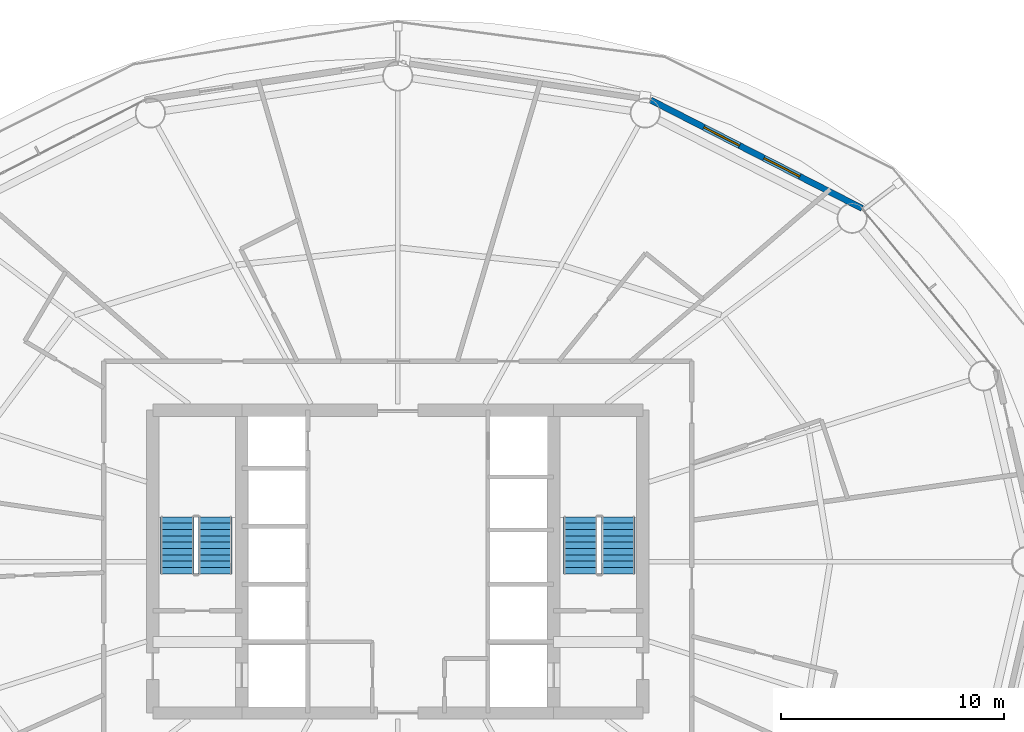
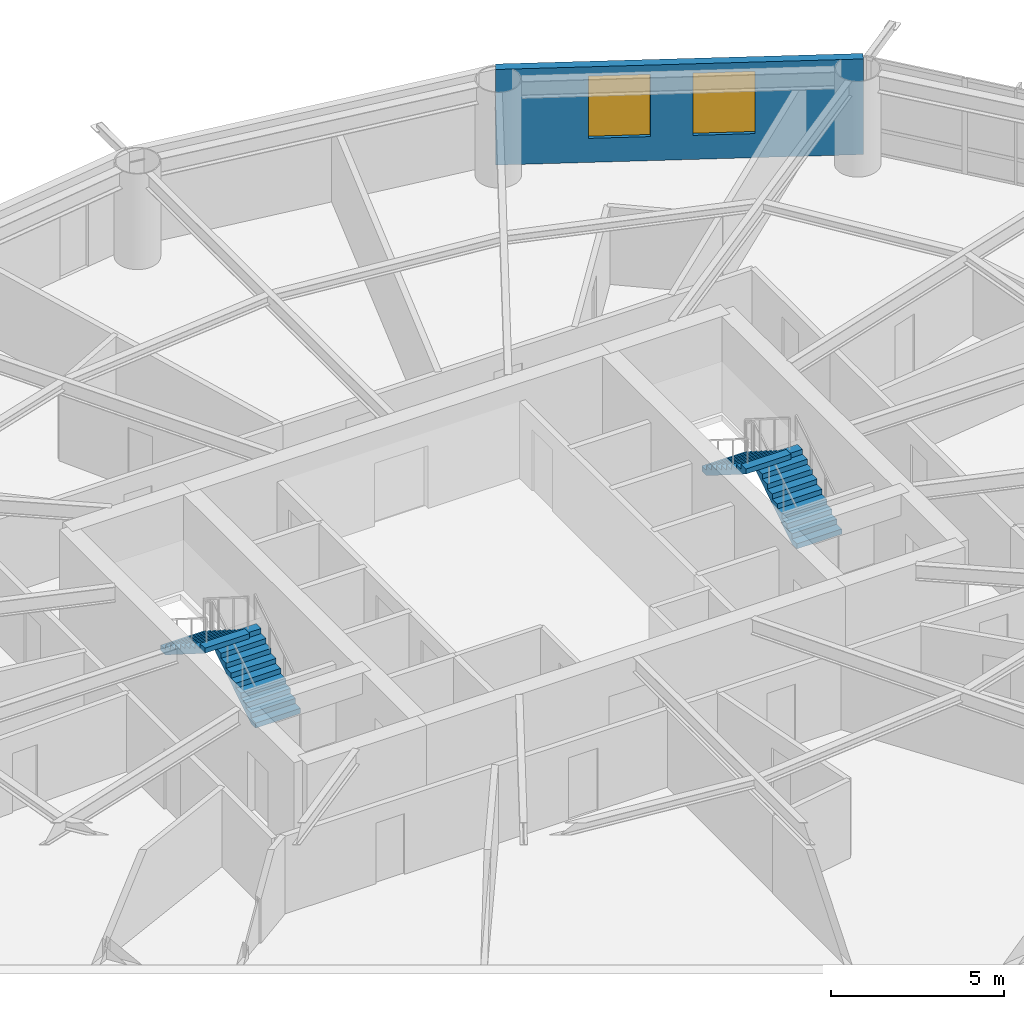
# One storey, part 21 of 24: 4 stair flights, 2 windows, 1 wall, 2 openings, 2 elements without a shape of their own.
"""IFC4 building model written with IfcOpenShell, lengths in metres."""

from ifc_helpers import new_model, si_unit, direction, frame, frame_2d, origin, place, context, subcontext, project, spatial, polyline, rectangle, outline, extrude, material, layer, layer_set, type_object, element, fill, aggregate, save


model = new_model("IFC4")

# Units and contexts
model_context = context("Model", 3, precision=1e-05, world=origin(), true_north=direction((0.0, 1.0)))
body_context = subcontext(model_context, "Body", "Model", "MODEL_VIEW")
ifc_project = project(units=[si_unit("LENGTHUNIT", "METRE"), si_unit("AREAUNIT", "SQUARE_METRE"), si_unit("VOLUMEUNIT", "CUBIC_METRE"), si_unit("PLANEANGLEUNIT", "RADIAN"), si_unit("MASSUNIT", "GRAM", prefix="KILO")], contexts=[model_context])

# Site, building, storey
site_placement = place(None, origin())
site = spatial("IfcSite", under=ifc_project, at=site_placement, CompositionType="ELEMENT")
building_placement = place(site_placement, origin())
building = spatial("IfcBuilding", under=site, at=building_placement, Name="Sarneth Arch Tower", CompositionType="ELEMENT")
storey_placement = place(building_placement, frame((0.0, 0.0, 120.0)))
storey = spatial("IfcBuildingStorey", under=building, at=storey_placement, Name="L30", CompositionType="ELEMENT", Elevation=120.0)

# Wall, openings, windows
ifc_material_1 = material(Name="Extruded terracotta rainscreen on Concrete C40/50 backing", Category="masonry")
ifc_layer = layer(ifc_material_1, 0.280029296875)
ifc_layer_set = layer_set([ifc_layer], Name="Extruded terracotta rainscreen on Concrete C40/50 backing")
wall_type = type_object("IfcWallType", Name="WALL-EXT-TERRA-280", PredefinedType="SOLIDWALL", material=ifc_layer_set)
wall_placement = place(storey_placement, frame((68.840087890625, 57.8603515625, 0.0), z_axis=(0.0, 0.0, 1.0), x_axis=(-0.889959505023, 0.45603955905, 0.0)))
wall = element("IfcWall", 1, at=wall_placement, inside=storey, type_object=wall_type, Name="L30 Terracotta perimeter wall 03", PredefinedType="SOLIDWALL", context=body_context, shape_type="SweptSolid", body=[
    extrude(rectangle(XDim=10.662109375, YDim=0.280029296875, at=frame_2d((5.3310546875, 0.0))), origin(), (0.0, 0.0, 1.0), 3.3798828125),
])
opening_1_placement = place(wall_placement, frame((3.142578125, 0.0, 0.85009765625)))
opening_1 = element("IfcOpeningElement", 2, at=opening_1_placement, cuts=wall, Name="Opening W-04", PredefinedType="OPENING", context=body_context, shape_type="SweptSolid", body=[
    extrude(rectangle(XDim=1.800048828125, YDim=2.199951171875, at=frame_2d((0.89990234375, 1.10009765625))), frame((0.0, 0.14990234375, 0.0), z_axis=(0.0, -1.0, 0.0), x_axis=(1.0, 0.0, 0.0)), (0.0, 0.0, 1.0), 0.300048828125),
])
opening_2_placement = place(wall_placement, frame((6.1767578125, 0.0, 0.85009765625)))
opening_2 = element("IfcOpeningElement", 3, at=opening_2_placement, cuts=wall, Name="Opening W-04", PredefinedType="OPENING", context=body_context, shape_type="SweptSolid", body=[
    extrude(rectangle(XDim=1.800048828125, YDim=2.199951171875, at=frame_2d((0.89990234375, 1.10009765625))), frame((0.0, 0.14990234375, 0.0), z_axis=(0.0, -1.0, 0.0), x_axis=(1.0, 0.0, 0.0)), (0.0, 0.0, 1.0), 0.300048828125),
])
ifc_material_2 = material(Name="Thermally broken Aluminium 6063-T6 and low-e laminated IGU", Category="aluminium")
window_type = type_object("IfcWindowType", Name="WIN-TWR-1800x2200", PartitioningType="DOUBLE_PANEL_VERTICAL", PredefinedType="WINDOW", material=ifc_material_2)
window_1_placement = place(opening_1_placement, origin())
window_1 = element("IfcWindow", 4, at=window_1_placement, inside=storey, type_object=window_type, Name="L30 Exterior window 03A", OverallHeight=2.199951171875, OverallWidth=1.800048828125, PartitioningType="SINGLE_PANEL", PredefinedType="WINDOW", context=body_context, shape_type="SweptSolid", body=[
    extrude(rectangle(XDim=1.800048828125, YDim=2.199951171875, at=frame_2d((0.89990234375, 1.10009765625))), frame((0.0, 0.030029296875, 0.0), z_axis=(0.0, -1.0, 0.0), x_axis=(1.0, 0.0, 0.0)), (0.0, 0.0, 1.0), 0.06005859375),
])
fill(opening_1, window_1)
window_2_placement = place(opening_2_placement, origin())
window_2 = element("IfcWindow", 5, at=window_2_placement, inside=storey, type_object=window_type, Name="L30 Exterior window 03B", OverallHeight=2.199951171875, OverallWidth=1.800048828125, PartitioningType="SINGLE_PANEL", PredefinedType="WINDOW", context=body_context, shape_type="SweptSolid", body=[
    extrude(rectangle(XDim=1.800048828125, YDim=2.199951171875, at=frame_2d((0.89990234375, 1.10009765625))), frame((0.0, 0.030029296875, 0.0), z_axis=(0.0, -1.0, 0.0), x_axis=(1.0, 0.0, 0.0)), (0.0, 0.0, 1.0), 0.06005859375),
])
fill(opening_2, window_2)

# Stair, stair flights
ifc_material_3 = material(Name="Concrete C50/60", Category="concrete")
stair_type = type_object("IfcStairType", Name="STAIR-CORE-RC", PredefinedType="HALF_TURN_STAIR", material=ifc_material_3)
stair_1_placement = place(storey_placement, origin())
stair_1 = element("IfcStair", 6, at=stair_1_placement, inside=storey, type_object=stair_type, Name="L30 Core Exit Stair 1", PredefinedType="HALF_TURN_STAIR")
ifc_material_4 = material(Name="Concrete C50/60", Category="concrete")
stair_flight_type = type_object("IfcStairFlightType", Name="FLIGHT-RC-1500", PredefinedType="STRAIGHT", material=ifc_material_4)
stair_flight_1_placement = place(storey_placement, frame((39.800048828125, 41.449951171875, 0.0), z_axis=(0.0, 0.0, 1.0), x_axis=(0.0, 1.0, 0.0)))
stair_flight_1 = element("IfcStairFlight", 7, at=stair_flight_1_placement, type_object=stair_flight_type, Name="ST-1 flight 1", NumberOfRisers=10, NumberOfTreads=9, PredefinedType="STRAIGHT", RiserHeight=0.18, TreadLength=0.285, context=body_context, shape_type="SweptSolid", body=[
    extrude(outline(polyline([(0.0, 0.0), (0.0, 0.179931640625), (0.284912109375, 0.179931640625), (0.284912109375, 0.360107421875), (0.570068359375, 0.360107421875), (0.570068359375, 0.5400390625), (0.85498046875, 0.5400390625), (0.85498046875, 0.719970703125), (1.139892578125, 0.719970703125), (1.139892578125, 0.89990234375), (1.425048828125, 0.89990234375), (1.425048828125, 1.080078125), (1.7099609375, 1.080078125), (1.7099609375, 1.260009765625), (1.9951171875, 1.260009765625), (1.9951171875, 1.43994140625), (2.280029296875, 1.43994140625), (2.280029296875, 1.6201171875), (2.56494140625, 1.6201171875), (2.56494140625, 1.800048828125), (2.56494140625, 1.442626953125), (0.28076171875, 0.0), (0.0, 0.0)])), frame((0.0, 0.75, 0.0), z_axis=(0.0, -1.0, 0.0), x_axis=(1.0, 0.0, 0.0)), (0.0, 0.0, 1.0), 1.5),
])
stair_flight_2_placement = place(storey_placement, frame((38.10009765625, 44.014892578125, 1.800048828125), z_axis=(0.0, 0.0, 1.0), x_axis=(0.0, -1.0, 0.0)))
stair_flight_2 = element("IfcStairFlight", 8, at=stair_flight_2_placement, type_object=stair_flight_type, Name="ST-1 flight 2", NumberOfRisers=10, NumberOfTreads=9, PredefinedType="STRAIGHT", RiserHeight=0.18, TreadLength=0.285, context=body_context, shape_type="SweptSolid", body=[
    extrude(outline(polyline([(0.0, 0.0), (0.0, 0.179931640625), (0.284912109375, 0.179931640625), (0.284912109375, 0.360107421875), (0.570068359375, 0.360107421875), (0.570068359375, 0.5400390625), (0.85498046875, 0.5400390625), (0.85498046875, 0.719970703125), (1.139892578125, 0.719970703125), (1.139892578125, 0.89990234375), (1.425048828125, 0.89990234375), (1.425048828125, 1.080078125), (1.7099609375, 1.080078125), (1.7099609375, 1.260009765625), (1.9951171875, 1.260009765625), (1.9951171875, 1.43994140625), (2.280029296875, 1.43994140625), (2.280029296875, 1.6201171875), (2.56494140625, 1.6201171875), (2.56494140625, 1.800048828125), (2.56494140625, 1.442626953125), (0.28076171875, 0.0), (0.0, 0.0)])), frame((0.0, 0.75, 0.0), z_axis=(0.0, -1.0, 0.0), x_axis=(1.0, 0.0, 0.0)), (0.0, 0.0, 1.0), 1.5),
])
aggregate(stair_1, [stair_flight_1, stair_flight_2])

stair_2_placement = place(storey_placement, origin())
stair_2 = element("IfcStair", 9, at=stair_2_placement, inside=storey, type_object=stair_type, Name="L30 Core Exit Stair 2", PredefinedType="HALF_TURN_STAIR")
stair_flight_3_placement = place(storey_placement, frame((57.89990234375, 41.449951171875, 0.0), z_axis=(0.0, 0.0, 1.0), x_axis=(0.0, 1.0, 0.0)))
stair_flight_3 = element("IfcStairFlight", 10, at=stair_flight_3_placement, type_object=stair_flight_type, Name="ST-2 flight 1", NumberOfRisers=10, NumberOfTreads=9, PredefinedType="STRAIGHT", RiserHeight=0.18, TreadLength=0.285, context=body_context, shape_type="SweptSolid", body=[
    extrude(outline(polyline([(0.0, 0.0), (0.0, 0.179931640625), (0.284912109375, 0.179931640625), (0.284912109375, 0.360107421875), (0.570068359375, 0.360107421875), (0.570068359375, 0.5400390625), (0.85498046875, 0.5400390625), (0.85498046875, 0.719970703125), (1.139892578125, 0.719970703125), (1.139892578125, 0.89990234375), (1.425048828125, 0.89990234375), (1.425048828125, 1.080078125), (1.7099609375, 1.080078125), (1.7099609375, 1.260009765625), (1.9951171875, 1.260009765625), (1.9951171875, 1.43994140625), (2.280029296875, 1.43994140625), (2.280029296875, 1.6201171875), (2.56494140625, 1.6201171875), (2.56494140625, 1.800048828125), (2.56494140625, 1.442626953125), (0.28076171875, 0.0), (0.0, 0.0)])), frame((0.0, 0.75, 0.0), z_axis=(0.0, -1.0, 0.0), x_axis=(1.0, 0.0, 0.0)), (0.0, 0.0, 1.0), 1.5),
])
stair_flight_4_placement = place(storey_placement, frame((56.199951171875, 44.014892578125, 1.800048828125), z_axis=(0.0, 0.0, 1.0), x_axis=(0.0, -1.0, 0.0)))
stair_flight_4 = element("IfcStairFlight", 11, at=stair_flight_4_placement, type_object=stair_flight_type, Name="ST-2 flight 2", NumberOfRisers=10, NumberOfTreads=9, PredefinedType="STRAIGHT", RiserHeight=0.18, TreadLength=0.285, context=body_context, shape_type="SweptSolid", body=[
    extrude(outline(polyline([(0.0, 0.0), (0.0, 0.179931640625), (0.284912109375, 0.179931640625), (0.284912109375, 0.360107421875), (0.570068359375, 0.360107421875), (0.570068359375, 0.5400390625), (0.85498046875, 0.5400390625), (0.85498046875, 0.719970703125), (1.139892578125, 0.719970703125), (1.139892578125, 0.89990234375), (1.425048828125, 0.89990234375), (1.425048828125, 1.080078125), (1.7099609375, 1.080078125), (1.7099609375, 1.260009765625), (1.9951171875, 1.260009765625), (1.9951171875, 1.43994140625), (2.280029296875, 1.43994140625), (2.280029296875, 1.6201171875), (2.56494140625, 1.6201171875), (2.56494140625, 1.800048828125), (2.56494140625, 1.442626953125), (0.28076171875, 0.0), (0.0, 0.0)])), frame((0.0, 0.75, 0.0), z_axis=(0.0, -1.0, 0.0), x_axis=(1.0, 0.0, 0.0)), (0.0, 0.0, 1.0), 1.5),
])
aggregate(stair_2, [stair_flight_3, stair_flight_4])

save(model, "model.ifc")
